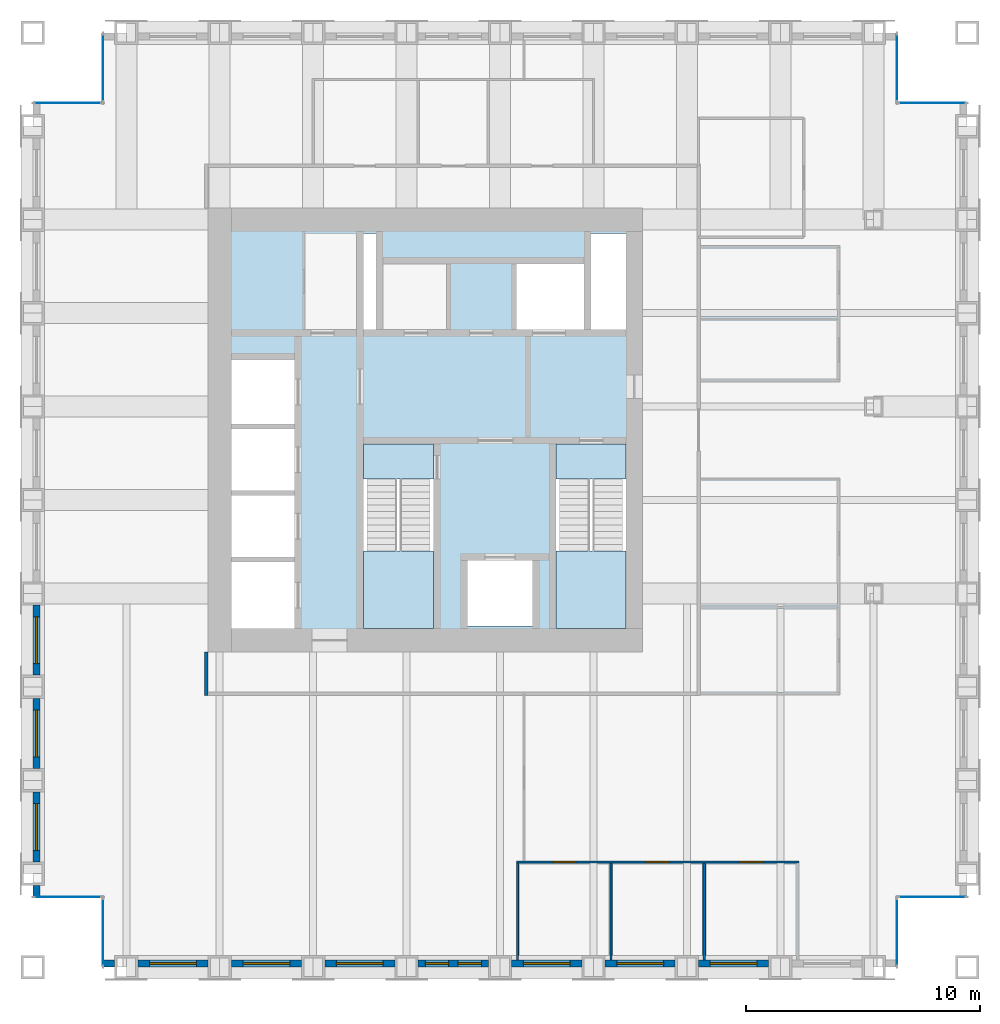
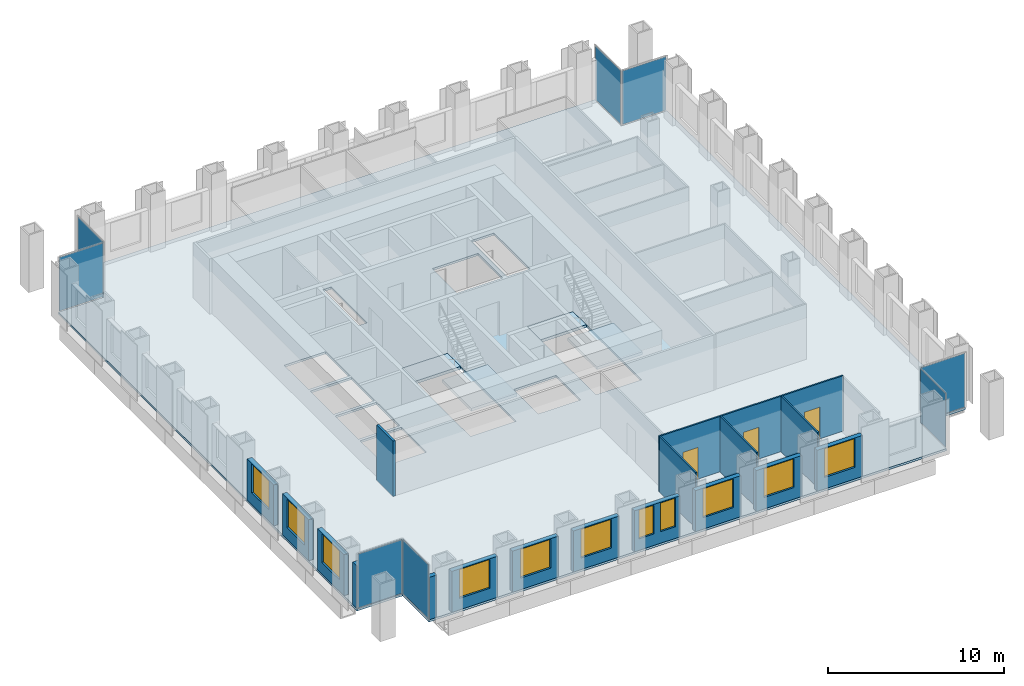
# One storey, part 7 of 11: 17 walls, 11 windows, 8 plates, 5 slabs, 3 doors, 14 openings, 10 elements without a shape of their own.
"""IFC4 building model written with IfcOpenShell, lengths in metres."""

from ifc_helpers import new_model, si_unit, direction, frame, frame_2d, origin, origin_2d, place, context, subcontext, project, spatial, polyline, rectangle, outline, extrude, material, layer, layer_set, type_object, element, fill, aggregate, save


model = new_model("IFC4")

# Units and contexts
model_context = context("Model", 3, precision=1e-05, world=origin(), true_north=direction((0.0, 1.0)))
body_context = subcontext(model_context, "Body", "Model", "MODEL_VIEW")
ifc_project = project(units=[si_unit("LENGTHUNIT", "METRE"), si_unit("AREAUNIT", "SQUARE_METRE"), si_unit("VOLUMEUNIT", "CUBIC_METRE"), si_unit("PLANEANGLEUNIT", "RADIAN"), si_unit("MASSUNIT", "GRAM", prefix="KILO")], contexts=[model_context])

# Site, building, storey
site_placement = place(None, origin())
site = spatial("IfcSite", under=ifc_project, at=site_placement, CompositionType="ELEMENT")
building_placement = place(site_placement, origin())
building = spatial("IfcBuilding", under=site, at=building_placement, Name="Rimbunsela Tower", CompositionType="ELEMENT")
storey_placement = place(building_placement, frame((0.0, 0.0, 250.199951171875)))
storey = spatial("IfcBuildingStorey", under=building, at=storey_placement, Name="L60", CompositionType="ELEMENT", Elevation=250.199951171875)

# Slab
ifc_material_1 = material(Name="Concrete fc' 35 MPa", Category="concrete")
ifc_layer_1 = layer(ifc_material_1, 0.14990234375)
ifc_layer_set_1 = layer_set([ifc_layer_1], Name="Floor slab 150")
slab_type_1 = type_object("IfcSlabType", Name="Floor slab 150", PredefinedType="FLOOR", material=ifc_layer_set_1)
slab_1_placement = place(storey_placement, frame((0.0, 0.0, -0.14990234375)))
element("IfcSlab", 1, at=slab_1_placement, inside=storey, type_object=slab_type_1, Name="Floor slab L60", PredefinedType="FLOOR", context=body_context, shape_type="SweptSolid", body=[
    extrude(outline(polyline([(13.0, 4.0), (47.0, 4.0), (47.0, 7.0), (50.0, 7.0), (50.0, 41.0), (47.0, 41.0), (47.0, 44.0), (13.0, 44.0), (13.0, 41.0), (10.0, 41.0), (10.0, 7.0), (13.0, 7.0), (13.0, 4.0)]), holes=[polyline([(21.199951171875, 21.35009765625), (18.5, 21.35009765625), (18.5, 18.5), (21.199951171875, 18.5), (21.199951171875, 21.35009765625)]), polyline([(21.199951171875, 21.550048828125), (21.199951171875, 24.199951171875), (18.5, 24.199951171875), (18.5, 21.550048828125), (21.199951171875, 21.550048828125)]), polyline([(21.199951171875, 27.050048828125), (18.5, 27.050048828125), (18.5, 24.39990234375), (21.199951171875, 24.39990234375), (21.199951171875, 27.050048828125)]), polyline([(21.199951171875, 30.0), (18.5, 30.0), (18.5, 27.25), (21.199951171875, 27.25), (21.199951171875, 30.0)]), polyline([(27.14990234375, 26.39990234375), (24.14990234375, 26.39990234375), (24.14990234375, 18.60009765625), (27.14990234375, 18.60009765625), (27.14990234375, 26.39990234375)]), polyline([(24.699951171875, 31.300048828125), (24.699951171875, 35.39990234375), (24.14990234375, 35.39990234375), (24.14990234375, 31.300048828125), (24.699951171875, 31.300048828125)]), polyline([(31.39990234375, 21.39990234375), (28.60009765625, 21.39990234375), (28.60009765625, 18.60009765625), (31.39990234375, 18.60009765625), (31.39990234375, 21.39990234375)]), polyline([(33.60009765625, 34.10009765625), (30.60009765625, 34.10009765625), (30.60009765625, 31.300048828125), (33.60009765625, 31.300048828125), (33.60009765625, 34.10009765625)]), polyline([(35.39990234375, 18.60009765625), (35.39990234375, 26.39990234375), (32.39990234375, 26.39990234375), (32.39990234375, 18.60009765625), (35.39990234375, 18.60009765625)]), polyline([(35.39990234375, 31.300048828125), (35.39990234375, 35.39990234375), (33.89990234375, 35.39990234375), (33.89990234375, 31.300048828125), (35.39990234375, 31.300048828125)])]), origin(), (0.0, 0.0, 1.0), 0.14990234375),
])

# Curtain wall, plate
ifc_material_2 = material(Name="Aluminium curtain wall", Category="aluminium")
curtain_wall_type = type_object("IfcCurtainWallType", Name="Corner glazing", PredefinedType="USERDEFINED", material=ifc_material_2)
curtain_wall_1_placement = place(storey_placement, origin())
curtain_wall_1 = element("IfcCurtainWall", 2, at=curtain_wall_1_placement, inside=storey, type_object=curtain_wall_type, Name="Corner glazing L60", ObjectType="CORNER GLAZING", PredefinedType="USERDEFINED")
ifc_material_3 = material(Name="Clear double glazing", Category="glass")
ifc_layer_2 = layer(ifc_material_3, 0.028076171875)
ifc_layer_set_2 = layer_set([ifc_layer_2], Name="Glazed panel clear")
plate_type = type_object("IfcPlateType", Name="Glazed panel clear", PredefinedType="CURTAIN_PANEL", material=ifc_layer_set_2)
plate_1_placement = place(storey_placement, frame((47.0, 5.5, 0.06005859375), z_axis=(0.0, 0.0, 1.0), x_axis=(0.0, 1.0, 0.0)))
plate_1 = element("IfcPlate", 3, at=plate_1_placement, type_object=plate_type, Name="CW5 panel 1.1", PredefinedType="CURTAIN_PANEL", context=body_context, shape_type="SweptSolid", body=[
    extrude(rectangle(XDim=2.8798828125, YDim=0.028076171875, at=origin_2d()), origin(), (0.0, 0.0, 1.0), 3.72998046875),
])
aggregate(curtain_wall_1, [plate_1])

curtain_wall_2_placement = place(storey_placement, origin())
curtain_wall_2 = element("IfcCurtainWall", 4, at=curtain_wall_2_placement, inside=storey, type_object=curtain_wall_type, Name="Corner glazing L60", ObjectType="CORNER GLAZING", PredefinedType="USERDEFINED")
plate_2_placement = place(storey_placement, frame((48.5, 7.0, 0.06005859375), z_axis=(0.0, 0.0, 1.0), x_axis=(1.0, 0.0, 0.0)))
plate_2 = element("IfcPlate", 5, at=plate_2_placement, type_object=plate_type, Name="CW5 panel 1.1", PredefinedType="CURTAIN_PANEL", context=body_context, shape_type="SweptSolid", body=[
    extrude(rectangle(XDim=2.8798828125, YDim=0.028076171875, at=origin_2d()), origin(), (0.0, 0.0, 1.0), 3.72998046875),
])
aggregate(curtain_wall_2, [plate_2])

curtain_wall_3_placement = place(storey_placement, origin())
curtain_wall_3 = element("IfcCurtainWall", 6, at=curtain_wall_3_placement, inside=storey, type_object=curtain_wall_type, Name="Corner glazing L60", ObjectType="CORNER GLAZING", PredefinedType="USERDEFINED")
plate_3_placement = place(storey_placement, frame((48.5, 41.0, 0.06005859375), z_axis=(0.0, 0.0, 1.0), x_axis=(-1.0, 0.0, 0.0)))
plate_3 = element("IfcPlate", 7, at=plate_3_placement, type_object=plate_type, Name="CW5 panel 1.1", PredefinedType="CURTAIN_PANEL", context=body_context, shape_type="SweptSolid", body=[
    extrude(rectangle(XDim=2.8798828125, YDim=0.028076171875, at=origin_2d()), origin(), (0.0, 0.0, 1.0), 3.72998046875),
])
aggregate(curtain_wall_3, [plate_3])

curtain_wall_4_placement = place(storey_placement, origin())
curtain_wall_4 = element("IfcCurtainWall", 8, at=curtain_wall_4_placement, inside=storey, type_object=curtain_wall_type, Name="Corner glazing L60", ObjectType="CORNER GLAZING", PredefinedType="USERDEFINED")
plate_4_placement = place(storey_placement, frame((47.0, 42.5, 0.06005859375), z_axis=(0.0, 0.0, 1.0), x_axis=(0.0, 1.0, 0.0)))
plate_4 = element("IfcPlate", 9, at=plate_4_placement, type_object=plate_type, Name="CW5 panel 1.1", PredefinedType="CURTAIN_PANEL", context=body_context, shape_type="SweptSolid", body=[
    extrude(rectangle(XDim=2.8798828125, YDim=0.028076171875, at=origin_2d()), origin(), (0.0, 0.0, 1.0), 3.72998046875),
])
aggregate(curtain_wall_4, [plate_4])

curtain_wall_5_placement = place(storey_placement, origin())
curtain_wall_5 = element("IfcCurtainWall", 10, at=curtain_wall_5_placement, inside=storey, type_object=curtain_wall_type, Name="Corner glazing L60", ObjectType="CORNER GLAZING", PredefinedType="USERDEFINED")
plate_5_placement = place(storey_placement, frame((13.0, 42.5, 0.06005859375), z_axis=(0.0, 0.0, 1.0), x_axis=(0.0, -1.0, 0.0)))
plate_5 = element("IfcPlate", 11, at=plate_5_placement, type_object=plate_type, Name="CW5 panel 1.1", PredefinedType="CURTAIN_PANEL", context=body_context, shape_type="SweptSolid", body=[
    extrude(rectangle(XDim=2.8798828125, YDim=0.028076171875, at=origin_2d()), origin(), (0.0, 0.0, 1.0), 3.72998046875),
])
aggregate(curtain_wall_5, [plate_5])

curtain_wall_6_placement = place(storey_placement, origin())
curtain_wall_6 = element("IfcCurtainWall", 12, at=curtain_wall_6_placement, inside=storey, type_object=curtain_wall_type, Name="Corner glazing L60", ObjectType="CORNER GLAZING", PredefinedType="USERDEFINED")
plate_6_placement = place(storey_placement, frame((11.5, 41.0, 0.06005859375), z_axis=(0.0, 0.0, 1.0), x_axis=(-1.0, 0.0, 0.0)))
plate_6 = element("IfcPlate", 13, at=plate_6_placement, type_object=plate_type, Name="CW5 panel 1.1", PredefinedType="CURTAIN_PANEL", context=body_context, shape_type="SweptSolid", body=[
    extrude(rectangle(XDim=2.8798828125, YDim=0.028076171875, at=origin_2d()), origin(), (0.0, 0.0, 1.0), 3.72998046875),
])
aggregate(curtain_wall_6, [plate_6])

curtain_wall_7_placement = place(storey_placement, origin())
curtain_wall_7 = element("IfcCurtainWall", 14, at=curtain_wall_7_placement, inside=storey, type_object=curtain_wall_type, Name="Corner glazing L60", ObjectType="CORNER GLAZING", PredefinedType="USERDEFINED")
plate_7_placement = place(storey_placement, frame((11.5, 7.0, 0.06005859375), z_axis=(0.0, 0.0, 1.0), x_axis=(1.0, 0.0, 0.0)))
plate_7 = element("IfcPlate", 15, at=plate_7_placement, type_object=plate_type, Name="CW5 panel 1.1", PredefinedType="CURTAIN_PANEL", context=body_context, shape_type="SweptSolid", body=[
    extrude(rectangle(XDim=2.8798828125, YDim=0.028076171875, at=origin_2d()), origin(), (0.0, 0.0, 1.0), 3.72998046875),
])
aggregate(curtain_wall_7, [plate_7])

curtain_wall_8_placement = place(storey_placement, origin())
curtain_wall_8 = element("IfcCurtainWall", 16, at=curtain_wall_8_placement, inside=storey, type_object=curtain_wall_type, Name="Corner glazing L60", ObjectType="CORNER GLAZING", PredefinedType="USERDEFINED")
plate_8_placement = place(storey_placement, frame((13.0, 5.5, 0.06005859375), z_axis=(0.0, 0.0, 1.0), x_axis=(0.0, -1.0, 0.0)))
plate_8 = element("IfcPlate", 17, at=plate_8_placement, type_object=plate_type, Name="CW5 panel 1.1", PredefinedType="CURTAIN_PANEL", context=body_context, shape_type="SweptSolid", body=[
    extrude(rectangle(XDim=2.8798828125, YDim=0.028076171875, at=origin_2d()), origin(), (0.0, 0.0, 1.0), 3.72998046875),
])
aggregate(curtain_wall_8, [plate_8])

# Stair, slabs
ifc_material_4 = material(Name="Concrete fc' 35 MPa", Category="concrete")
stair_type = type_object("IfcStairType", Name="Exit stair 24 risers", PredefinedType="HALF_TURN_STAIR", material=ifc_material_4)
stair_1_placement = place(storey_placement, origin())
stair_1 = element("IfcStair", 18, at=stair_1_placement, inside=storey, type_object=stair_type, Name="Exit stair A L60", PredefinedType="HALF_TURN_STAIR")
ifc_material_5 = material(Name="Concrete fc' 35 MPa", Category="concrete")
ifc_layer_3 = layer(ifc_material_5, 0.199951171875)
ifc_layer_set_3 = layer_set([ifc_layer_3], Name="Stair landing 200")
slab_type_2 = type_object("IfcSlabType", Name="Stair landing 200", PredefinedType="LANDING", material=ifc_layer_set_3)
slab_2_placement = place(storey_placement, frame((0.0, 0.0, -0.199951171875)))
slab_2 = element("IfcSlab", 19, at=slab_2_placement, type_object=slab_type_2, Name="ST-A landing 1", PredefinedType="LANDING", context=body_context, shape_type="SweptSolid", body=[
    extrude(outline(polyline([(24.14990234375, 24.89990234375), (27.14990234375, 24.89990234375), (27.14990234375, 26.39990234375), (24.14990234375, 26.39990234375), (24.14990234375, 24.89990234375)])), origin(), (0.0, 0.0, 1.0), 0.199951171875),
])
slab_3_placement = place(storey_placement, frame((0.0, 0.0, 1.800048828125)))
slab_3 = element("IfcSlab", 20, at=slab_3_placement, type_object=slab_type_2, Name="ST-A landing 2", PredefinedType="LANDING", context=body_context, shape_type="SweptSolid", body=[
    extrude(outline(polyline([(24.14990234375, 18.5), (27.14990234375, 18.5), (27.14990234375, 21.820068359375), (24.14990234375, 21.820068359375), (24.14990234375, 18.5)])), origin(), (0.0, 0.0, 1.0), 0.199951171875),
])
aggregate(stair_1, [slab_2, slab_3])

stair_2_placement = place(storey_placement, origin())
stair_2 = element("IfcStair", 21, at=stair_2_placement, inside=storey, type_object=stair_type, Name="Exit stair B L60", PredefinedType="HALF_TURN_STAIR")
slab_4_placement = place(storey_placement, frame((0.0, 0.0, -0.199951171875)))
slab_4 = element("IfcSlab", 22, at=slab_4_placement, type_object=slab_type_2, Name="ST-B landing 1", PredefinedType="LANDING", context=body_context, shape_type="SweptSolid", body=[
    extrude(outline(polyline([(32.39990234375, 24.89990234375), (35.39990234375, 24.89990234375), (35.39990234375, 26.39990234375), (32.39990234375, 26.39990234375), (32.39990234375, 24.89990234375)])), origin(), (0.0, 0.0, 1.0), 0.199951171875),
])
slab_5_placement = place(storey_placement, frame((0.0, 0.0, 1.800048828125)))
slab_5 = element("IfcSlab", 23, at=slab_5_placement, type_object=slab_type_2, Name="ST-B landing 2", PredefinedType="LANDING", context=body_context, shape_type="SweptSolid", body=[
    extrude(outline(polyline([(32.39990234375, 18.5), (35.39990234375, 18.5), (35.39990234375, 21.820068359375), (32.39990234375, 21.820068359375), (32.39990234375, 18.5)])), origin(), (0.0, 0.0, 1.0), 0.199951171875),
])
aggregate(stair_2, [slab_4, slab_5])

# Wall, openings, doors
ifc_material_6 = material(Name="Gypsum board on steel studs", Category="steel")
ifc_layer_4 = layer(ifc_material_6, 0.10009765625)
ifc_layer_set_4 = layer_set([ifc_layer_4], Name="Office partition 100")
wall_type_1 = type_object("IfcWallType", Name="Office partition 100", PredefinedType="PARTITIONING", material=ifc_layer_set_4)
wall_1_placement = place(storey_placement, frame((30.699951171875, 8.5, 0.0), z_axis=(0.0, 0.0, 1.0), x_axis=(1.0, 0.0, 0.0)))
wall_1 = element("IfcWall", 24, at=wall_1_placement, inside=storey, type_object=wall_type_1, Name="Office partition", PredefinedType="PARTITIONING", context=body_context, shape_type="SweptSolid", body=[
    extrude(rectangle(XDim=12.10009765625, YDim=0.10009765625, at=frame_2d((6.050048828125, 0.0))), origin(), (0.0, 0.0, 1.0), 3.85009765625),
])
opening_1_placement = place(wall_1_placement, frame((1.550048828125, 0.0, 0.0)))
opening_1 = element("IfcOpeningElement", 25, at=opening_1_placement, cuts=wall_1, Name="Opening D16", PredefinedType="OPENING", context=body_context, shape_type="SweptSolid", body=[
    extrude(rectangle(XDim=1.0, YDim=2.199951171875, at=frame_2d((0.5, 1.10009765625))), frame((0.0, 0.06005859375, 0.0), z_axis=(0.0, -1.0, 0.0), x_axis=(1.0, 0.0, 0.0)), (0.0, 0.0, 1.0), 0.1201171875),
])
opening_2_placement = place(wall_1_placement, frame((5.550048828125, 0.0, 0.0)))
opening_2 = element("IfcOpeningElement", 26, at=opening_2_placement, cuts=wall_1, Name="Opening D16", PredefinedType="OPENING", context=body_context, shape_type="SweptSolid", body=[
    extrude(rectangle(XDim=1.0, YDim=2.199951171875, at=frame_2d((0.5, 1.10009765625))), frame((0.0, 0.06005859375, 0.0), z_axis=(0.0, -1.0, 0.0), x_axis=(1.0, 0.0, 0.0)), (0.0, 0.0, 1.0), 0.1201171875),
])
opening_3_placement = place(wall_1_placement, frame((9.550048828125, 0.0, 0.0)))
opening_3 = element("IfcOpeningElement", 27, at=opening_3_placement, cuts=wall_1, Name="Opening D16", PredefinedType="OPENING", context=body_context, shape_type="SweptSolid", body=[
    extrude(rectangle(XDim=1.0, YDim=2.199951171875, at=frame_2d((0.5, 1.10009765625))), frame((0.0, 0.06005859375, 0.0), z_axis=(0.0, -1.0, 0.0), x_axis=(1.0, 0.0, 0.0)), (0.0, 0.0, 1.0), 0.1201171875),
])
ifc_material_7 = material(Name="Timber door", Category="wood")
door_type = type_object("IfcDoorType", Name="Office door 1000", OperationType="SINGLE_SWING_LEFT", PredefinedType="DOOR", material=ifc_material_7)
door_1_placement = place(opening_1_placement, origin())
door_1 = element("IfcDoor", 28, at=door_1_placement, inside=storey, type_object=door_type, Name="Office door", OperationType="SINGLE_SWING_LEFT", OverallHeight=2.199951171875, OverallWidth=1.0, PredefinedType="DOOR", context=body_context, shape_type="SweptSolid", body=[
    extrude(rectangle(XDim=1.0, YDim=2.199951171875, at=frame_2d((0.5, 1.10009765625))), frame((0.0, 0.02490234375, 0.0), z_axis=(0.0, -1.0, 0.0), x_axis=(1.0, 0.0, 0.0)), (0.0, 0.0, 1.0), 0.050048828125),
])
fill(opening_1, door_1)
door_2_placement = place(opening_2_placement, origin())
door_2 = element("IfcDoor", 29, at=door_2_placement, inside=storey, type_object=door_type, Name="Office door", OperationType="SINGLE_SWING_LEFT", OverallHeight=2.199951171875, OverallWidth=1.0, PredefinedType="DOOR", context=body_context, shape_type="SweptSolid", body=[
    extrude(rectangle(XDim=1.0, YDim=2.199951171875, at=frame_2d((0.5, 1.10009765625))), frame((0.0, 0.02490234375, 0.0), z_axis=(0.0, -1.0, 0.0), x_axis=(1.0, 0.0, 0.0)), (0.0, 0.0, 1.0), 0.050048828125),
])
fill(opening_2, door_2)
door_3_placement = place(opening_3_placement, origin())
door_3 = element("IfcDoor", 30, at=door_3_placement, inside=storey, type_object=door_type, Name="Office door", OperationType="SINGLE_SWING_LEFT", OverallHeight=2.199951171875, OverallWidth=1.0, PredefinedType="DOOR", context=body_context, shape_type="SweptSolid", body=[
    extrude(rectangle(XDim=1.0, YDim=2.199951171875, at=frame_2d((0.5, 1.10009765625))), frame((0.0, 0.02490234375, 0.0), z_axis=(0.0, -1.0, 0.0), x_axis=(1.0, 0.0, 0.0)), (0.0, 0.0, 1.0), 0.050048828125),
])
fill(opening_3, door_3)

# Walls
for number, where, z_axis, x_axis, name in (
    (31, (30.75, 4.300048828125, 0.0), (0.0, 0.0, 1.0), (0.0, 1.0, 0.0), "Office partition"),
    (32, (34.75, 4.300048828125, 0.0), (0.0, 0.0, 1.0), (0.0, 1.0, 0.0), "Office partition"),
    (33, (38.75, 4.300048828125, 0.0), (0.0, 0.0, 1.0), (0.0, 1.0, 0.0), "Office partition"),
):
    element("IfcWall", number, at=place(storey_placement, frame(where, z_axis=z_axis, x_axis=x_axis)), inside=storey, type_object=wall_type_1, Name=name, PredefinedType="PARTITIONING", context=body_context, shape_type="SweptSolid", body=[
        extrude(rectangle(XDim=4.14990234375, YDim=0.10009765625, at=frame_2d((2.074951171875, 0.0))), origin(), (0.0, 0.0, 1.0), 3.85009765625),
    ])
ifc_material_8 = material(Name="Precast concrete fc' 35 MPa", Category="concrete")
ifc_layer_5 = layer(ifc_material_8, 0.300048828125)
ifc_layer_set_5 = layer_set([ifc_layer_5], Name="Precast concrete fc' 35 MPa")
wall_type_2 = type_object("IfcWallType", Name="Precast facade panel 300", PredefinedType="ELEMENTEDWALL", material=ifc_layer_set_5)
wall_2_placement = place(storey_placement, frame((13.030029296875, 4.14990234375, 0.0), z_axis=(0.0, 0.0, 1.0), x_axis=(1.0, 0.0, 0.0)))
element("IfcWall", 34, at=wall_2_placement, inside=storey, type_object=wall_type_2, Name="Facade panel S L60", PredefinedType="ELEMENTEDWALL", context=body_context, shape_type="SweptSolid", body=[
    extrude(rectangle(XDim=0.469970703125, YDim=0.300048828125, at=frame_2d((0.23486328125, 0.0))), origin(), (0.0, 0.0, 1.0), 2.949951171875),
])

# Wall, opening, window
wall_3_placement = place(storey_placement, frame((14.5, 4.14990234375, 0.0), z_axis=(0.0, 0.0, 1.0), x_axis=(1.0, 0.0, 0.0)))
wall_3 = element("IfcWall", 35, at=wall_3_placement, inside=storey, type_object=wall_type_2, Name="Facade panel S L60", PredefinedType="ELEMENTEDWALL", context=body_context, shape_type="SweptSolid", body=[
    extrude(rectangle(XDim=3.0, YDim=0.300048828125, at=frame_2d((1.5, 0.0))), origin(), (0.0, 0.0, 1.0), 2.85009765625),
])
opening_4_placement = place(wall_3_placement, frame((0.5, 0.0, 0.800048828125)))
opening_4 = element("IfcOpeningElement", 36, at=opening_4_placement, cuts=wall_3, Name="Opening W1", PredefinedType="OPENING", context=body_context, shape_type="SweptSolid", body=[
    extrude(rectangle(XDim=2.0, YDim=2.0, at=frame_2d((1.0, 1.0))), frame((0.0, 0.159912109375, 0.0), z_axis=(0.0, -1.0, 0.0), x_axis=(1.0, 0.0, 0.0)), (0.0, 0.0, 1.0), 0.320068359375),
])
ifc_material_9 = material(Name="Clear glass in aluminium frame", Category="aluminium")
window_type_1 = type_object("IfcWindowType", Name="Window W1 2000x2000", PartitioningType="DOUBLE_PANEL_VERTICAL", PredefinedType="WINDOW", material=ifc_material_9)
window_1_placement = place(opening_4_placement, origin())
window_1 = element("IfcWindow", 37, at=window_1_placement, inside=storey, type_object=window_type_1, Name="Window L60", OverallHeight=2.0, OverallWidth=2.0, PartitioningType="SINGLE_PANEL", PredefinedType="WINDOW", context=body_context, shape_type="SweptSolid", body=[
    extrude(rectangle(XDim=2.0, YDim=2.0, at=frame_2d((1.0, 1.0))), frame((0.0, 0.030029296875, 0.0), z_axis=(0.0, -1.0, 0.0), x_axis=(1.0, 0.0, 0.0)), (0.0, 0.0, 1.0), 0.06005859375),
])
fill(opening_4, window_1)

wall_4_placement = place(storey_placement, frame((18.5, 4.14990234375, 0.0), z_axis=(0.0, 0.0, 1.0), x_axis=(1.0, 0.0, 0.0)))
wall_4 = element("IfcWall", 38, at=wall_4_placement, inside=storey, type_object=wall_type_2, Name="Facade panel S L60", PredefinedType="ELEMENTEDWALL", context=body_context, shape_type="SweptSolid", body=[
    extrude(rectangle(XDim=3.0, YDim=0.300048828125, at=frame_2d((1.5, 0.0))), origin(), (0.0, 0.0, 1.0), 2.85009765625),
])
opening_5_placement = place(wall_4_placement, frame((0.5, 0.0, 0.800048828125)))
opening_5 = element("IfcOpeningElement", 39, at=opening_5_placement, cuts=wall_4, Name="Opening W1", PredefinedType="OPENING", context=body_context, shape_type="SweptSolid", body=[
    extrude(rectangle(XDim=2.0, YDim=2.0, at=frame_2d((1.0, 1.0))), frame((0.0, 0.159912109375, 0.0), z_axis=(0.0, -1.0, 0.0), x_axis=(1.0, 0.0, 0.0)), (0.0, 0.0, 1.0), 0.320068359375),
])
window_2_placement = place(opening_5_placement, origin())
window_2 = element("IfcWindow", 40, at=window_2_placement, inside=storey, type_object=window_type_1, Name="Window L60", OverallHeight=2.0, OverallWidth=2.0, PartitioningType="SINGLE_PANEL", PredefinedType="WINDOW", context=body_context, shape_type="SweptSolid", body=[
    extrude(rectangle(XDim=2.0, YDim=2.0, at=frame_2d((1.0, 1.0))), frame((0.0, 0.030029296875, 0.0), z_axis=(0.0, -1.0, 0.0), x_axis=(1.0, 0.0, 0.0)), (0.0, 0.0, 1.0), 0.06005859375),
])
fill(opening_5, window_2)

wall_5_placement = place(storey_placement, frame((22.5, 4.14990234375, 0.0), z_axis=(0.0, 0.0, 1.0), x_axis=(1.0, 0.0, 0.0)))
wall_5 = element("IfcWall", 41, at=wall_5_placement, inside=storey, type_object=wall_type_2, Name="Facade panel S L60", PredefinedType="ELEMENTEDWALL", context=body_context, shape_type="SweptSolid", body=[
    extrude(rectangle(XDim=3.0, YDim=0.300048828125, at=frame_2d((1.5, 0.0))), origin(), (0.0, 0.0, 1.0), 2.85009765625),
])
opening_6_placement = place(wall_5_placement, frame((0.5, 0.0, 0.800048828125)))
opening_6 = element("IfcOpeningElement", 42, at=opening_6_placement, cuts=wall_5, Name="Opening W1", PredefinedType="OPENING", context=body_context, shape_type="SweptSolid", body=[
    extrude(rectangle(XDim=2.0, YDim=2.0, at=frame_2d((1.0, 1.0))), frame((0.0, 0.159912109375, 0.0), z_axis=(0.0, -1.0, 0.0), x_axis=(1.0, 0.0, 0.0)), (0.0, 0.0, 1.0), 0.320068359375),
])
window_3_placement = place(opening_6_placement, origin())
window_3 = element("IfcWindow", 43, at=window_3_placement, inside=storey, type_object=window_type_1, Name="Window L60", OverallHeight=2.0, OverallWidth=2.0, PartitioningType="SINGLE_PANEL", PredefinedType="WINDOW", context=body_context, shape_type="SweptSolid", body=[
    extrude(rectangle(XDim=2.0, YDim=2.0, at=frame_2d((1.0, 1.0))), frame((0.0, 0.030029296875, 0.0), z_axis=(0.0, -1.0, 0.0), x_axis=(1.0, 0.0, 0.0)), (0.0, 0.0, 1.0), 0.06005859375),
])
fill(opening_6, window_3)

# Wall, openings, windows
wall_6_placement = place(storey_placement, frame((26.5, 4.14990234375, 0.0), z_axis=(0.0, 0.0, 1.0), x_axis=(1.0, 0.0, 0.0)))
wall_6 = element("IfcWall", 44, at=wall_6_placement, inside=storey, type_object=wall_type_2, Name="Facade panel S L60", PredefinedType="ELEMENTEDWALL", context=body_context, shape_type="SweptSolid", body=[
    extrude(rectangle(XDim=3.0, YDim=0.300048828125, at=frame_2d((1.5, 0.0))), origin(), (0.0, 0.0, 1.0), 2.85009765625),
])
opening_7_placement = place(wall_6_placement, frame((0.300048828125, 0.0, 0.800048828125)))
opening_7 = element("IfcOpeningElement", 45, at=opening_7_placement, cuts=wall_6, Name="Opening W5", PredefinedType="OPENING", context=body_context, shape_type="SweptSolid", body=[
    extrude(rectangle(XDim=1.0, YDim=2.0, at=frame_2d((0.5, 1.0))), frame((0.0, 0.159912109375, 0.0), z_axis=(0.0, -1.0, 0.0), x_axis=(1.0, 0.0, 0.0)), (0.0, 0.0, 1.0), 0.320068359375),
])
opening_8_placement = place(wall_6_placement, frame((1.699951171875, 0.0, 0.800048828125)))
opening_8 = element("IfcOpeningElement", 46, at=opening_8_placement, cuts=wall_6, Name="Opening W5", PredefinedType="OPENING", context=body_context, shape_type="SweptSolid", body=[
    extrude(rectangle(XDim=1.0, YDim=2.0, at=frame_2d((0.5, 1.0))), frame((0.0, 0.159912109375, 0.0), z_axis=(0.0, -1.0, 0.0), x_axis=(1.0, 0.0, 0.0)), (0.0, 0.0, 1.0), 0.320068359375),
])
ifc_material_10 = material(Name="Clear glass in aluminium frame", Category="aluminium")
window_type_2 = type_object("IfcWindowType", Name="Window W5 1000x2000", PartitioningType="SINGLE_PANEL", PredefinedType="WINDOW", material=ifc_material_10)
window_4_placement = place(opening_7_placement, origin())
window_4 = element("IfcWindow", 47, at=window_4_placement, inside=storey, type_object=window_type_2, Name="Window L60", OverallHeight=2.0, OverallWidth=1.0, PartitioningType="SINGLE_PANEL", PredefinedType="WINDOW", context=body_context, shape_type="SweptSolid", body=[
    extrude(rectangle(XDim=1.0, YDim=2.0, at=frame_2d((0.5, 1.0))), frame((0.0, 0.030029296875, 0.0), z_axis=(0.0, -1.0, 0.0), x_axis=(1.0, 0.0, 0.0)), (0.0, 0.0, 1.0), 0.06005859375),
])
fill(opening_7, window_4)
window_5_placement = place(opening_8_placement, origin())
window_5 = element("IfcWindow", 48, at=window_5_placement, inside=storey, type_object=window_type_2, Name="Window L60", OverallHeight=2.0, OverallWidth=1.0, PartitioningType="SINGLE_PANEL", PredefinedType="WINDOW", context=body_context, shape_type="SweptSolid", body=[
    extrude(rectangle(XDim=1.0, YDim=2.0, at=frame_2d((0.5, 1.0))), frame((0.0, 0.030029296875, 0.0), z_axis=(0.0, -1.0, 0.0), x_axis=(1.0, 0.0, 0.0)), (0.0, 0.0, 1.0), 0.06005859375),
])
fill(opening_8, window_5)

# Wall, opening, window
wall_7_placement = place(storey_placement, frame((30.5, 4.14990234375, 0.0), z_axis=(0.0, 0.0, 1.0), x_axis=(1.0, 0.0, 0.0)))
wall_7 = element("IfcWall", 49, at=wall_7_placement, inside=storey, type_object=wall_type_2, Name="Facade panel S L60", PredefinedType="ELEMENTEDWALL", context=body_context, shape_type="SweptSolid", body=[
    extrude(rectangle(XDim=3.0, YDim=0.300048828125, at=frame_2d((1.5, 0.0))), origin(), (0.0, 0.0, 1.0), 2.85009765625),
])
opening_9_placement = place(wall_7_placement, frame((0.5, 0.0, 0.800048828125)))
opening_9 = element("IfcOpeningElement", 50, at=opening_9_placement, cuts=wall_7, Name="Opening W1", PredefinedType="OPENING", context=body_context, shape_type="SweptSolid", body=[
    extrude(rectangle(XDim=2.0, YDim=2.0, at=frame_2d((1.0, 1.0))), frame((0.0, 0.159912109375, 0.0), z_axis=(0.0, -1.0, 0.0), x_axis=(1.0, 0.0, 0.0)), (0.0, 0.0, 1.0), 0.320068359375),
])
window_6_placement = place(opening_9_placement, origin())
window_6 = element("IfcWindow", 51, at=window_6_placement, inside=storey, type_object=window_type_1, Name="Window L60", OverallHeight=2.0, OverallWidth=2.0, PartitioningType="SINGLE_PANEL", PredefinedType="WINDOW", context=body_context, shape_type="SweptSolid", body=[
    extrude(rectangle(XDim=2.0, YDim=2.0, at=frame_2d((1.0, 1.0))), frame((0.0, 0.030029296875, 0.0), z_axis=(0.0, -1.0, 0.0), x_axis=(1.0, 0.0, 0.0)), (0.0, 0.0, 1.0), 0.06005859375),
])
fill(opening_9, window_6)

wall_8_placement = place(storey_placement, frame((34.5, 4.14990234375, 0.0), z_axis=(0.0, 0.0, 1.0), x_axis=(1.0, 0.0, 0.0)))
wall_8 = element("IfcWall", 52, at=wall_8_placement, inside=storey, type_object=wall_type_2, Name="Facade panel S L60", PredefinedType="ELEMENTEDWALL", context=body_context, shape_type="SweptSolid", body=[
    extrude(rectangle(XDim=3.0, YDim=0.300048828125, at=frame_2d((1.5, 0.0))), origin(), (0.0, 0.0, 1.0), 2.85009765625),
])
opening_10_placement = place(wall_8_placement, frame((0.5, 0.0, 0.800048828125)))
opening_10 = element("IfcOpeningElement", 53, at=opening_10_placement, cuts=wall_8, Name="Opening W1", PredefinedType="OPENING", context=body_context, shape_type="SweptSolid", body=[
    extrude(rectangle(XDim=2.0, YDim=2.0, at=frame_2d((1.0, 1.0))), frame((0.0, 0.159912109375, 0.0), z_axis=(0.0, -1.0, 0.0), x_axis=(1.0, 0.0, 0.0)), (0.0, 0.0, 1.0), 0.320068359375),
])
window_7_placement = place(opening_10_placement, origin())
window_7 = element("IfcWindow", 54, at=window_7_placement, inside=storey, type_object=window_type_1, Name="Window L60", OverallHeight=2.0, OverallWidth=2.0, PartitioningType="SINGLE_PANEL", PredefinedType="WINDOW", context=body_context, shape_type="SweptSolid", body=[
    extrude(rectangle(XDim=2.0, YDim=2.0, at=frame_2d((1.0, 1.0))), frame((0.0, 0.030029296875, 0.0), z_axis=(0.0, -1.0, 0.0), x_axis=(1.0, 0.0, 0.0)), (0.0, 0.0, 1.0), 0.06005859375),
])
fill(opening_10, window_7)

wall_9_placement = place(storey_placement, frame((38.5, 4.14990234375, 0.0), z_axis=(0.0, 0.0, 1.0), x_axis=(1.0, 0.0, 0.0)))
wall_9 = element("IfcWall", 55, at=wall_9_placement, inside=storey, type_object=wall_type_2, Name="Facade panel S L60", PredefinedType="ELEMENTEDWALL", context=body_context, shape_type="SweptSolid", body=[
    extrude(rectangle(XDim=3.0, YDim=0.300048828125, at=frame_2d((1.5, 0.0))), origin(), (0.0, 0.0, 1.0), 2.85009765625),
])
opening_11_placement = place(wall_9_placement, frame((0.5, 0.0, 0.800048828125)))
opening_11 = element("IfcOpeningElement", 56, at=opening_11_placement, cuts=wall_9, Name="Opening W1", PredefinedType="OPENING", context=body_context, shape_type="SweptSolid", body=[
    extrude(rectangle(XDim=2.0, YDim=2.0, at=frame_2d((1.0, 1.0))), frame((0.0, 0.159912109375, 0.0), z_axis=(0.0, -1.0, 0.0), x_axis=(1.0, 0.0, 0.0)), (0.0, 0.0, 1.0), 0.320068359375),
])
window_8_placement = place(opening_11_placement, origin())
window_8 = element("IfcWindow", 57, at=window_8_placement, inside=storey, type_object=window_type_1, Name="Window L60", OverallHeight=2.0, OverallWidth=2.0, PartitioningType="SINGLE_PANEL", PredefinedType="WINDOW", context=body_context, shape_type="SweptSolid", body=[
    extrude(rectangle(XDim=2.0, YDim=2.0, at=frame_2d((1.0, 1.0))), frame((0.0, 0.030029296875, 0.0), z_axis=(0.0, -1.0, 0.0), x_axis=(1.0, 0.0, 0.0)), (0.0, 0.0, 1.0), 0.06005859375),
])
fill(opening_11, window_8)

# Wall
wall_10_placement = place(storey_placement, frame((10.14990234375, 7.5, 0.0), z_axis=(0.0, 0.0, 1.0), x_axis=(0.0, -1.0, 0.0)))
element("IfcWall", 58, at=wall_10_placement, inside=storey, type_object=wall_type_2, Name="Facade panel W L60", PredefinedType="ELEMENTEDWALL", context=body_context, shape_type="SweptSolid", body=[
    extrude(rectangle(XDim=0.469970703125, YDim=0.300048828125, at=frame_2d((0.23486328125, 0.0))), origin(), (0.0, 0.0, 1.0), 2.949951171875),
])

# Wall, opening, window
wall_11_placement = place(storey_placement, frame((10.14990234375, 11.5, 0.0), z_axis=(0.0, 0.0, 1.0), x_axis=(0.0, -1.0, 0.0)))
wall_11 = element("IfcWall", 59, at=wall_11_placement, inside=storey, type_object=wall_type_2, Name="Facade panel W L60", PredefinedType="ELEMENTEDWALL", context=body_context, shape_type="SweptSolid", body=[
    extrude(rectangle(XDim=3.0, YDim=0.300048828125, at=frame_2d((1.5, 0.0))), origin(), (0.0, 0.0, 1.0), 2.85009765625),
])
opening_12_placement = place(wall_11_placement, frame((0.5, 0.0, 0.800048828125)))
opening_12 = element("IfcOpeningElement", 60, at=opening_12_placement, cuts=wall_11, Name="Opening W1", PredefinedType="OPENING", context=body_context, shape_type="SweptSolid", body=[
    extrude(rectangle(XDim=2.0, YDim=2.0, at=frame_2d((1.0, 1.0))), frame((0.0, 0.159912109375, 0.0), z_axis=(0.0, -1.0, 0.0), x_axis=(1.0, 0.0, 0.0)), (0.0, 0.0, 1.0), 0.320068359375),
])
window_9_placement = place(opening_12_placement, origin())
window_9 = element("IfcWindow", 61, at=window_9_placement, inside=storey, type_object=window_type_1, Name="Window L60", OverallHeight=2.0, OverallWidth=2.0, PartitioningType="SINGLE_PANEL", PredefinedType="WINDOW", context=body_context, shape_type="SweptSolid", body=[
    extrude(rectangle(XDim=2.0, YDim=2.0, at=frame_2d((1.0, 1.0))), frame((0.0, 0.030029296875, 0.0), z_axis=(0.0, -1.0, 0.0), x_axis=(1.0, 0.0, 0.0)), (0.0, 0.0, 1.0), 0.06005859375),
])
fill(opening_12, window_9)

wall_12_placement = place(storey_placement, frame((10.14990234375, 15.5, 0.0), z_axis=(0.0, 0.0, 1.0), x_axis=(0.0, -1.0, 0.0)))
wall_12 = element("IfcWall", 62, at=wall_12_placement, inside=storey, type_object=wall_type_2, Name="Facade panel W L60", PredefinedType="ELEMENTEDWALL", context=body_context, shape_type="SweptSolid", body=[
    extrude(rectangle(XDim=3.0, YDim=0.300048828125, at=frame_2d((1.5, 0.0))), origin(), (0.0, 0.0, 1.0), 2.85009765625),
])
opening_13_placement = place(wall_12_placement, frame((0.5, 0.0, 0.800048828125)))
opening_13 = element("IfcOpeningElement", 63, at=opening_13_placement, cuts=wall_12, Name="Opening W1", PredefinedType="OPENING", context=body_context, shape_type="SweptSolid", body=[
    extrude(rectangle(XDim=2.0, YDim=2.0, at=frame_2d((1.0, 1.0))), frame((0.0, 0.159912109375, 0.0), z_axis=(0.0, -1.0, 0.0), x_axis=(1.0, 0.0, 0.0)), (0.0, 0.0, 1.0), 0.320068359375),
])
window_10_placement = place(opening_13_placement, origin())
window_10 = element("IfcWindow", 64, at=window_10_placement, inside=storey, type_object=window_type_1, Name="Window L60", OverallHeight=2.0, OverallWidth=2.0, PartitioningType="SINGLE_PANEL", PredefinedType="WINDOW", context=body_context, shape_type="SweptSolid", body=[
    extrude(rectangle(XDim=2.0, YDim=2.0, at=frame_2d((1.0, 1.0))), frame((0.0, 0.030029296875, 0.0), z_axis=(0.0, -1.0, 0.0), x_axis=(1.0, 0.0, 0.0)), (0.0, 0.0, 1.0), 0.06005859375),
])
fill(opening_13, window_10)

wall_13_placement = place(storey_placement, frame((10.14990234375, 19.5, 0.0), z_axis=(0.0, 0.0, 1.0), x_axis=(0.0, -1.0, 0.0)))
wall_13 = element("IfcWall", 65, at=wall_13_placement, inside=storey, type_object=wall_type_2, Name="Facade panel W L60", PredefinedType="ELEMENTEDWALL", context=body_context, shape_type="SweptSolid", body=[
    extrude(rectangle(XDim=3.0, YDim=0.300048828125, at=frame_2d((1.5, 0.0))), origin(), (0.0, 0.0, 1.0), 2.85009765625),
])
opening_14_placement = place(wall_13_placement, frame((0.5, 0.0, 0.800048828125)))
opening_14 = element("IfcOpeningElement", 66, at=opening_14_placement, cuts=wall_13, Name="Opening W1", PredefinedType="OPENING", context=body_context, shape_type="SweptSolid", body=[
    extrude(rectangle(XDim=2.0, YDim=2.0, at=frame_2d((1.0, 1.0))), frame((0.0, 0.159912109375, 0.0), z_axis=(0.0, -1.0, 0.0), x_axis=(1.0, 0.0, 0.0)), (0.0, 0.0, 1.0), 0.320068359375),
])
window_11_placement = place(opening_14_placement, origin())
window_11 = element("IfcWindow", 67, at=window_11_placement, inside=storey, type_object=window_type_1, Name="Window L60", OverallHeight=2.0, OverallWidth=2.0, PartitioningType="SINGLE_PANEL", PredefinedType="WINDOW", context=body_context, shape_type="SweptSolid", body=[
    extrude(rectangle(XDim=2.0, YDim=2.0, at=frame_2d((1.0, 1.0))), frame((0.0, 0.030029296875, 0.0), z_axis=(0.0, -1.0, 0.0), x_axis=(1.0, 0.0, 0.0)), (0.0, 0.0, 1.0), 0.06005859375),
])
fill(opening_14, window_11)

# Wall
ifc_material_11 = material(Name="Fire-rated gypsum board on steel studs, EI 60", Category="steel")
ifc_layer_6 = layer(ifc_material_11, 0.14990234375)
ifc_layer_set_6 = layer_set([ifc_layer_6], Name="Rated corridor wall 150")
wall_type_3 = type_object("IfcWallType", Name="Rated corridor wall 150", PredefinedType="PARTITIONING", material=ifc_layer_set_6)
wall_14_placement = place(storey_placement, frame((17.425048828125, 15.625, 0.0), z_axis=(0.0, 0.0, 1.0), x_axis=(0.0, 1.0, 0.0)))
element("IfcWall", 68, at=wall_14_placement, inside=storey, type_object=wall_type_3, Name="Corridor end wall south", PredefinedType="PARTITIONING", context=body_context, shape_type="SweptSolid", body=[
    extrude(rectangle(XDim=1.875, YDim=0.14990234375, at=frame_2d((0.9375, 0.0))), origin(), (0.0, 0.0, 1.0), 3.85009765625),
])

save(model, "model.ifc")
